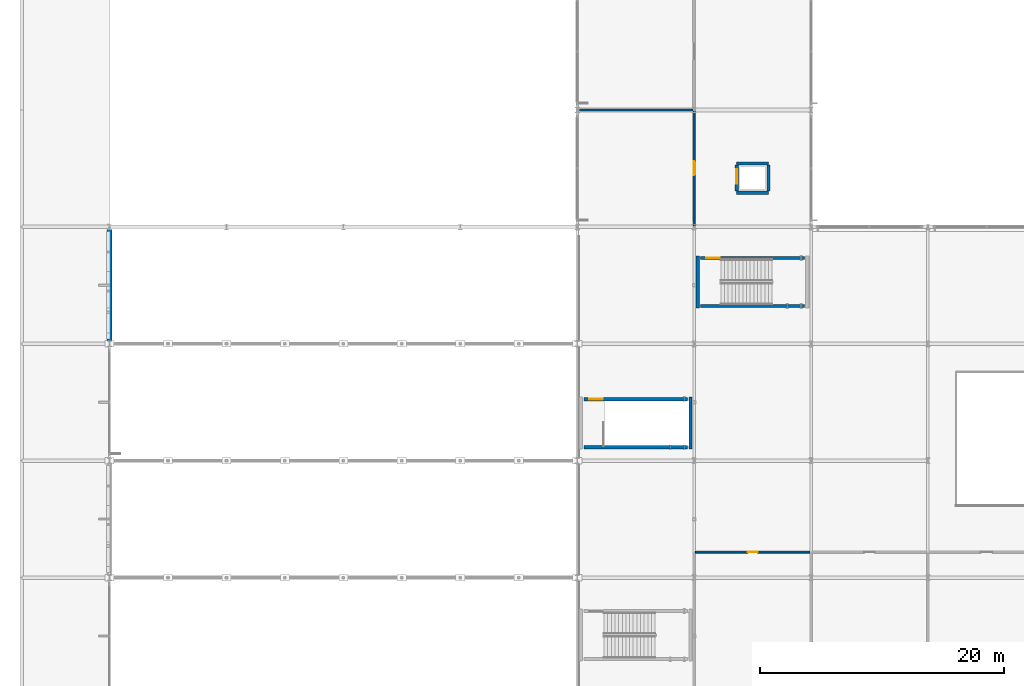
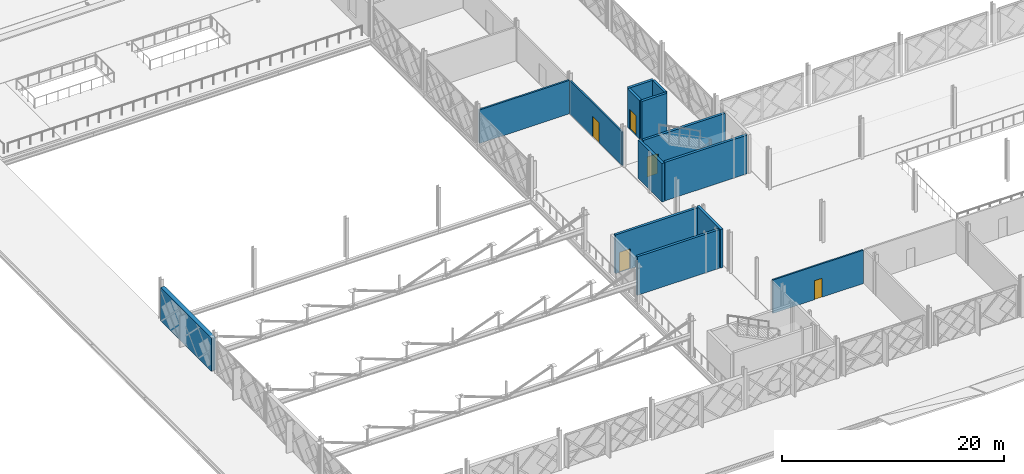
# One storey, part 65 of 101: 14 walls, 5 doors, 5 openings.
"""IFC4 building model written with IfcOpenShell, lengths in metres."""

from ifc_helpers import new_model, si_unit, direction, frame, frame_2d, origin, place, context, subcontext, project, spatial, rectangle, extrude, material, layer, layer_set, type_object, element, fill, save


model = new_model("IFC4")

# Units and contexts
model_context = context("Model", 3, precision=1e-05, world=origin(), true_north=direction((0.0, 1.0)))
body_context = subcontext(model_context, "Body", "Model", "MODEL_VIEW")
ifc_project = project(units=[si_unit("LENGTHUNIT", "METRE"), si_unit("AREAUNIT", "SQUARE_METRE"), si_unit("VOLUMEUNIT", "CUBIC_METRE"), si_unit("PLANEANGLEUNIT", "RADIAN"), si_unit("MASSUNIT", "GRAM", prefix="KILO")], contexts=[model_context])

# Site, building, storey
site_placement = place(None, origin())
site = spatial("IfcSite", under=ifc_project, at=site_placement, CompositionType="ELEMENT")
building_placement = place(site_placement, origin())
building = spatial("IfcBuilding", under=site, at=building_placement, Name="Zevrakil Square Congress Hotel", CompositionType="ELEMENT")
storey_placement = place(building_placement, frame((0.0, 0.0, 5.39990234375)))
storey = spatial("IfcBuildingStorey", under=building, at=storey_placement, Name="L02", CompositionType="ELEMENT", Elevation=5.39990234375)

# Wall, opening, door
ifc_material_1 = material(Name="Gypsum Acoustic Stud Partition")
ifc_layer_1 = layer(ifc_material_1, 0.159912109375)
ifc_layer_set_1 = layer_set([ifc_layer_1], Name="Gypsum Acoustic Stud Partition")
wall_type_1 = type_object("IfcWallType", Name="WAL-CORR-160", PredefinedType="PARTITIONING", material=ifc_layer_set_1)
wall_1_placement = place(storey_placement, frame((55.300048828125, 18.89990234375, 0.0), z_axis=(0.0, 0.0, 1.0), x_axis=(1.0, 0.0, 0.0)))
wall_1 = element("IfcWall", 1, at=wall_1_placement, inside=storey, type_object=wall_type_1, Name="L02 interior partition PW-L02-0167", PredefinedType="PARTITIONING", context=body_context, shape_type="SweptSolid", body=[
    extrude(rectangle(XDim=9.39990234375, YDim=0.159912109375, at=frame_2d((4.699951171875, 0.0))), origin(), (0.0, 0.0, 1.0), 3.675048828125),
])
opening_1_placement = place(wall_1_placement, frame((4.2900390625, 0.0, 0.0)))
opening_1 = element("IfcOpeningElement", 2, at=opening_1_placement, cuts=wall_1, Name="Opening ID-11", PredefinedType="OPENING", context=body_context, shape_type="SweptSolid", body=[
    extrude(rectangle(XDim=0.820068359375, YDim=2.080078125, at=frame_2d((0.41015625, 1.0400390625))), frame((0.0, 0.08984375, 0.0), z_axis=(0.0, -1.0, 0.0), x_axis=(1.0, 0.0, 0.0)), (0.0, 0.0, 1.0), 0.179931640625),
])
ifc_material_2 = material(Name="Acoustic Timber Door", Category="wood")
door_type_1 = type_object("IfcDoorType", Name="DOR-INT-V01", OperationType="NOTDEFINED", PredefinedType="DOOR", material=ifc_material_2)
door_1_placement = place(opening_1_placement, origin())
door_1 = element("IfcDoor", 3, at=door_1_placement, inside=storey, type_object=door_type_1, Name="L02 interior door 69", OperationType="SINGLE_SWING_LEFT", OverallHeight=2.080078125, OverallWidth=0.820068359375, PredefinedType="DOOR", context=body_context, shape_type="SweptSolid", body=[
    extrude(rectangle(XDim=0.820068359375, YDim=2.080078125, at=frame_2d((0.41015625, 1.0400390625))), frame((0.0, 0.02490234375, 0.0), z_axis=(0.0, -1.0, 0.0), x_axis=(1.0, 0.0, 0.0)), (0.0, 0.0, 1.0), 0.050048828125),
])
fill(opening_1, door_1)

wall_2_placement = place(storey_placement, frame((55.199951171875, 45.699951171875, 0.0), z_axis=(0.0, 0.0, 1.0), x_axis=(0.0, 1.0, 0.0)))
wall_2 = element("IfcWall", 4, at=wall_2_placement, inside=storey, type_object=wall_type_1, Name="L02 interior partition PW-L02-0180", PredefinedType="PARTITIONING", context=body_context, shape_type="SweptSolid", body=[
    extrude(rectangle(XDim=9.400146484375, YDim=0.159912109375, at=frame_2d((4.7001953125, 0.0))), origin(), (0.0, 0.0, 1.0), 3.68505859375),
])
opening_2_placement = place(wall_2_placement, frame((4.125, 0.0, 0.0)))
opening_2 = element("IfcOpeningElement", 5, at=opening_2_placement, cuts=wall_2, Name="Opening ID-17", PredefinedType="OPENING", context=body_context, shape_type="SweptSolid", body=[
    extrude(rectangle(XDim=1.14990234375, YDim=2.219970703125, at=frame_2d((0.574951171875, 1.10986328125))), frame((0.0, 0.08984375, 0.0), z_axis=(0.0, -1.0, 0.0), x_axis=(1.0, 0.0, 0.0)), (0.0, 0.0, 1.0), 0.179931640625),
])
ifc_material_3 = material(Name="Acoustic Timber Fire Door", Category="wood")
door_type_2 = type_object("IfcDoorType", Name="DOR-INT-V07", OperationType="NOTDEFINED", PredefinedType="DOOR", material=ifc_material_3)
door_2_placement = place(opening_2_placement, origin())
door_2 = element("IfcDoor", 6, at=door_2_placement, inside=storey, type_object=door_type_2, Name="L02 interior door 75", OperationType="SINGLE_SWING_LEFT", OverallHeight=2.219970703125, OverallWidth=1.14990234375, PredefinedType="DOOR", context=body_context, shape_type="SweptSolid", body=[
    extrude(rectangle(XDim=1.14990234375, YDim=2.219970703125, at=frame_2d((0.574951171875, 1.10986328125))), frame((0.0, 0.02490234375, 0.0), z_axis=(0.0, -1.0, 0.0), x_axis=(1.0, 0.0, 0.0)), (0.0, 0.0, 1.0), 0.050048828125),
])
fill(opening_2, door_2)

# Walls
ifc_material_4 = material(Name="Precast concrete C40/50", Category="concrete")
ifc_layer_2 = layer(ifc_material_4, 0.419921875)
ifc_layer_set_2 = layer_set([ifc_layer_2], Name="Precast concrete C40/50")
wall_type_2 = type_object("IfcWallType", Name="WAL-EXT-HALL-420", PredefinedType="SOLIDWALL", material=ifc_layer_set_2)
wall_3_placement = place(storey_placement, frame((7.199951171875, 36.22900390625, 0.0), z_axis=(0.0, 0.0, 1.0), x_axis=(0.0, 1.0, 0.0)))
element("IfcWall", 7, at=wall_3_placement, inside=storey, type_object=wall_type_2, Name="L02 exterior GRC wall EW-L02-0030", PredefinedType="SOLIDWALL", context=body_context, shape_type="SweptSolid", body=[
    extrude(rectangle(XDim=9.14208984375, YDim=0.419921875, at=frame_2d((4.571044921875, 0.0))), origin(), (0.0, 0.0, 1.0), 3.675048828125),
])
ifc_material_5 = material(Name="Gypsum Twin-Stud Party Partition")
ifc_layer_3 = layer(ifc_material_5, 0.179931640625)
ifc_layer_set_3 = layer_set([ifc_layer_3], Name="Gypsum Twin-Stud Party Partition")
wall_type_3 = type_object("IfcWallType", Name="WAL-PARTY-180", PredefinedType="PARTITIONING", material=ifc_layer_set_3)
wall_4_placement = place(storey_placement, frame((45.780029296875, 55.199951171875, 0.0), z_axis=(0.0, 0.0, 1.0), x_axis=(1.0, 0.0, 0.0)))
element("IfcWall", 8, at=wall_4_placement, inside=storey, type_object=wall_type_3, Name="L02 interior partition PW-L02-0181", PredefinedType="PARTITIONING", context=body_context, shape_type="SweptSolid", body=[
    extrude(rectangle(XDim=9.330078125, YDim=0.179931640625, at=frame_2d((4.6650390625, 0.0))), origin(), (0.0, 0.0, 1.0), 3.68505859375),
])
ifc_material_6 = material(Name="Concrete C40/50", Category="concrete")
ifc_layer_4 = layer(ifc_material_6, 0.260009765625)
ifc_layer_set_4 = layer_set([ifc_layer_4], Name="Concrete C40/50")
wall_type_4 = type_object("IfcWallType", Name="WAL-SHAFT-260", PredefinedType="SHEAR", material=ifc_layer_set_4)
wall_5_placement = place(storey_placement, frame((55.5048828125, 38.93994140625, 0.0), z_axis=(0.0, 0.0, 1.0), x_axis=(0.0, 1.0, 0.0)))
element("IfcWall", 9, at=wall_5_placement, inside=storey, type_object=wall_type_4, Name="L02 ST04 stair shaft W wall", PredefinedType="SHEAR", context=body_context, shape_type="SweptSolid", body=[
    extrude(rectangle(XDim=4.27001953125, YDim=0.260009765625, at=frame_2d((2.135009765625, 0.0))), origin(), (0.0, 0.0, 1.0), 4.239990234375),
])
wall_6_placement = place(storey_placement, frame((55.739990234375, 39.10498046875, 0.0), z_axis=(0.0, 0.0, 1.0), x_axis=(1.0, 0.0, 0.0)))
element("IfcWall", 10, at=wall_6_placement, inside=storey, type_object=wall_type_4, Name="L02 ST04 stair shaft S wall", PredefinedType="SHEAR", context=body_context, shape_type="SweptSolid", body=[
    extrude(rectangle(XDim=8.52001953125, YDim=0.260009765625, at=frame_2d((4.260009765625, 0.0))), origin(), (0.0, 0.0, 1.0), 4.239990234375),
])

# Wall, opening, door
wall_7_placement = place(storey_placement, frame((55.739990234375, 43.044921875, 0.0), z_axis=(0.0, 0.0, 1.0), x_axis=(1.0, 0.0, 0.0)))
wall_7 = element("IfcWall", 11, at=wall_7_placement, inside=storey, type_object=wall_type_4, Name="L02 ST04 stair shaft N wall", PredefinedType="SHEAR", context=body_context, shape_type="SweptSolid", body=[
    extrude(rectangle(XDim=8.52001953125, YDim=0.260009765625, at=frame_2d((4.260009765625, 0.0))), origin(), (0.0, 0.0, 1.0), 4.239990234375),
])
opening_3_placement = place(wall_7_placement, frame((0.449951171875, 0.0, 0.0)))
opening_3 = element("IfcOpeningElement", 12, at=opening_3_placement, cuts=wall_7, Name="Opening SD-ST04", PredefinedType="OPENING", context=body_context, shape_type="SweptSolid", body=[
    extrude(rectangle(XDim=1.10009765625, YDim=2.199951171875, at=frame_2d((0.550048828125, 1.10009765625))), frame((0.0, 0.14013671875, 0.0), z_axis=(0.0, -1.0, 0.0), x_axis=(1.0, 0.0, 0.0)), (0.0, 0.0, 1.0), 0.280029296875),
])
ifc_material_7 = material(Name="Steel S355 Fire-Rated Door", Category="steel")
door_type_3 = type_object("IfcDoorType", Name="DOR-STAIR-FD90-110", OperationType="NOTDEFINED", PredefinedType="DOOR", material=ifc_material_7)
door_3_placement = place(opening_3_placement, origin())
door_3 = element("IfcDoor", 13, at=door_3_placement, inside=storey, type_object=door_type_3, Name="L02 ST04 protected stair fire door", OperationType="SINGLE_SWING_LEFT", OverallHeight=2.199951171875, OverallWidth=1.10009765625, PredefinedType="DOOR", context=body_context, shape_type="SweptSolid", body=[
    extrude(rectangle(XDim=1.10009765625, YDim=2.199951171875, at=frame_2d((0.550048828125, 1.10009765625))), frame((0.0, 0.02490234375, 0.0), z_axis=(0.0, -1.0, 0.0), x_axis=(1.0, 0.0, 0.0)), (0.0, 0.0, 1.0), 0.050048828125),
])
fill(opening_3, door_3)

# Walls
wall_8_placement = place(storey_placement, frame((54.89501953125, 27.340087890625, 0.0), z_axis=(0.0, 0.0, 1.0), x_axis=(0.0, 1.0, 0.0)))
element("IfcWall", 14, at=wall_8_placement, inside=storey, type_object=wall_type_4, Name="L02 ST13 stair shaft E wall", PredefinedType="SHEAR", context=body_context, shape_type="SweptSolid", body=[
    extrude(rectangle(XDim=4.27001953125, YDim=0.260009765625, at=frame_2d((2.135009765625, 0.0))), origin(), (0.0, 0.0, 1.0), 4.239990234375),
])
wall_9_placement = place(storey_placement, frame((46.139892578125, 27.5048828125, 0.0), z_axis=(0.0, 0.0, 1.0), x_axis=(1.0, 0.0, 0.0)))
element("IfcWall", 15, at=wall_9_placement, inside=storey, type_object=wall_type_4, Name="L02 ST13 stair shaft S wall", PredefinedType="SHEAR", context=body_context, shape_type="SweptSolid", body=[
    extrude(rectangle(XDim=8.52001953125, YDim=0.260009765625, at=frame_2d((4.260009765625, 0.0))), origin(), (0.0, 0.0, 1.0), 4.239990234375),
])

# Wall, opening, door
wall_10_placement = place(storey_placement, frame((46.139892578125, 31.445068359375, 0.0), z_axis=(0.0, 0.0, 1.0), x_axis=(1.0, 0.0, 0.0)))
wall_10 = element("IfcWall", 16, at=wall_10_placement, inside=storey, type_object=wall_type_4, Name="L02 ST13 stair shaft N wall", PredefinedType="SHEAR", context=body_context, shape_type="SweptSolid", body=[
    extrude(rectangle(XDim=8.52001953125, YDim=0.260009765625, at=frame_2d((4.260009765625, 0.0))), origin(), (0.0, 0.0, 1.0), 4.239990234375),
])
opening_4_placement = place(wall_10_placement, frame((0.449951171875, 0.0, 0.0)))
opening_4 = element("IfcOpeningElement", 17, at=opening_4_placement, cuts=wall_10, Name="Opening SD-ST13", PredefinedType="OPENING", context=body_context, shape_type="SweptSolid", body=[
    extrude(rectangle(XDim=1.10009765625, YDim=2.199951171875, at=frame_2d((0.550048828125, 1.10009765625))), frame((0.0, 0.14013671875, 0.0), z_axis=(0.0, -1.0, 0.0), x_axis=(1.0, 0.0, 0.0)), (0.0, 0.0, 1.0), 0.280029296875),
])
door_4_placement = place(opening_4_placement, origin())
door_4 = element("IfcDoor", 18, at=door_4_placement, inside=storey, type_object=door_type_3, Name="L02 ST13 protected stair fire door", OperationType="SINGLE_SWING_RIGHT", OverallHeight=2.199951171875, OverallWidth=1.10009765625, PredefinedType="DOOR", context=body_context, shape_type="SweptSolid", body=[
    extrude(rectangle(XDim=1.10009765625, YDim=2.199951171875, at=frame_2d((0.550048828125, 1.10009765625))), frame((0.0, 0.02490234375, 0.0), z_axis=(0.0, -1.0, 0.0), x_axis=(1.0, 0.0, 0.0)), (0.0, 0.0, 1.0), 0.050048828125),
])
fill(opening_4, door_4)

# Walls
for number, where, z_axis, x_axis, name in (
    (19, (58.699951171875, 48.39990234375, 0.0), (0.0, 0.0, 1.0), (1.0, 0.0, 0.0), "L02 CL3 lift shaft wall"),
    (20, (58.699951171875, 50.800048828125, 0.0), (0.0, 0.0, 1.0), (1.0, 0.0, 0.0), "L02 CL3 lift shaft wall"),
):
    element("IfcWall", number, at=place(storey_placement, frame(where, z_axis=z_axis, x_axis=x_axis)), inside=storey, type_object=wall_type_4, Name=name, PredefinedType="SHEAR", context=body_context, shape_type="SweptSolid", body=[
        extrude(rectangle(XDim=2.60009765625, YDim=0.260009765625, at=frame_2d((1.300048828125, 0.0))), origin(), (0.0, 0.0, 1.0), 4.239990234375),
    ])

# Wall, opening, door
wall_11_placement = place(storey_placement, frame((58.699951171875, 48.5400390625, 0.0), z_axis=(0.0, 0.0, 1.0), x_axis=(0.0, 1.0, 0.0)))
wall_11 = element("IfcWall", 21, at=wall_11_placement, inside=storey, type_object=wall_type_4, Name="L02 CL3 lift shaft wall", PredefinedType="SHEAR", context=body_context, shape_type="SweptSolid", body=[
    extrude(rectangle(XDim=2.119873046875, YDim=0.260009765625, at=frame_2d((1.06005859375, 0.0))), origin(), (0.0, 0.0, 1.0), 4.239990234375),
])
opening_5_placement = place(wall_11_placement, frame((0.60009765625, 0.0, 0.0)))
opening_5 = element("IfcOpeningElement", 22, at=opening_5_placement, cuts=wall_11, Name="Opening LD-CL3", PredefinedType="OPENING", context=body_context, shape_type="SweptSolid", body=[
    extrude(rectangle(XDim=1.199951171875, YDim=2.199951171875, at=frame_2d((0.60009765625, 1.10009765625))), frame((0.0, 0.14013671875, 0.0), z_axis=(0.0, -1.0, 0.0), x_axis=(1.0, 0.0, 0.0)), (0.0, 0.0, 1.0), 0.280029296875),
])
ifc_material_8 = material(Name="Stainless Steel Sliding Lift Landing Door", Category="steel")
door_type_4 = type_object("IfcDoorType", Name="DOR-LIFT-LD120", OperationType="NOTDEFINED", PredefinedType="DOOR", material=ifc_material_8)
door_5_placement = place(opening_5_placement, origin())
door_5 = element("IfcDoor", 23, at=door_5_placement, inside=storey, type_object=door_type_4, Name="L02 CL3 sliding lift landing door", OperationType="SLIDING_TO_RIGHT", OverallHeight=2.199951171875, OverallWidth=1.199951171875, PredefinedType="DOOR", context=body_context, shape_type="SweptSolid", body=[
    extrude(rectangle(XDim=1.199951171875, YDim=2.199951171875, at=frame_2d((0.60009765625, 1.10009765625))), frame((0.0, 0.02490234375, 0.0), z_axis=(0.0, -1.0, 0.0), x_axis=(1.0, 0.0, 0.0)), (0.0, 0.0, 1.0), 0.050048828125),
])
fill(opening_5, door_5)

# Wall
wall_12_placement = place(storey_placement, frame((61.300048828125, 48.5400390625, 0.0), z_axis=(0.0, 0.0, 1.0), x_axis=(0.0, 1.0, 0.0)))
element("IfcWall", 24, at=wall_12_placement, inside=storey, type_object=wall_type_4, Name="L02 CL3 lift shaft wall", PredefinedType="SHEAR", context=body_context, shape_type="SweptSolid", body=[
    extrude(rectangle(XDim=2.119873046875, YDim=0.260009765625, at=frame_2d((1.06005859375, 0.0))), origin(), (0.0, 0.0, 1.0), 4.239990234375),
])

save(model, "model.ifc")
